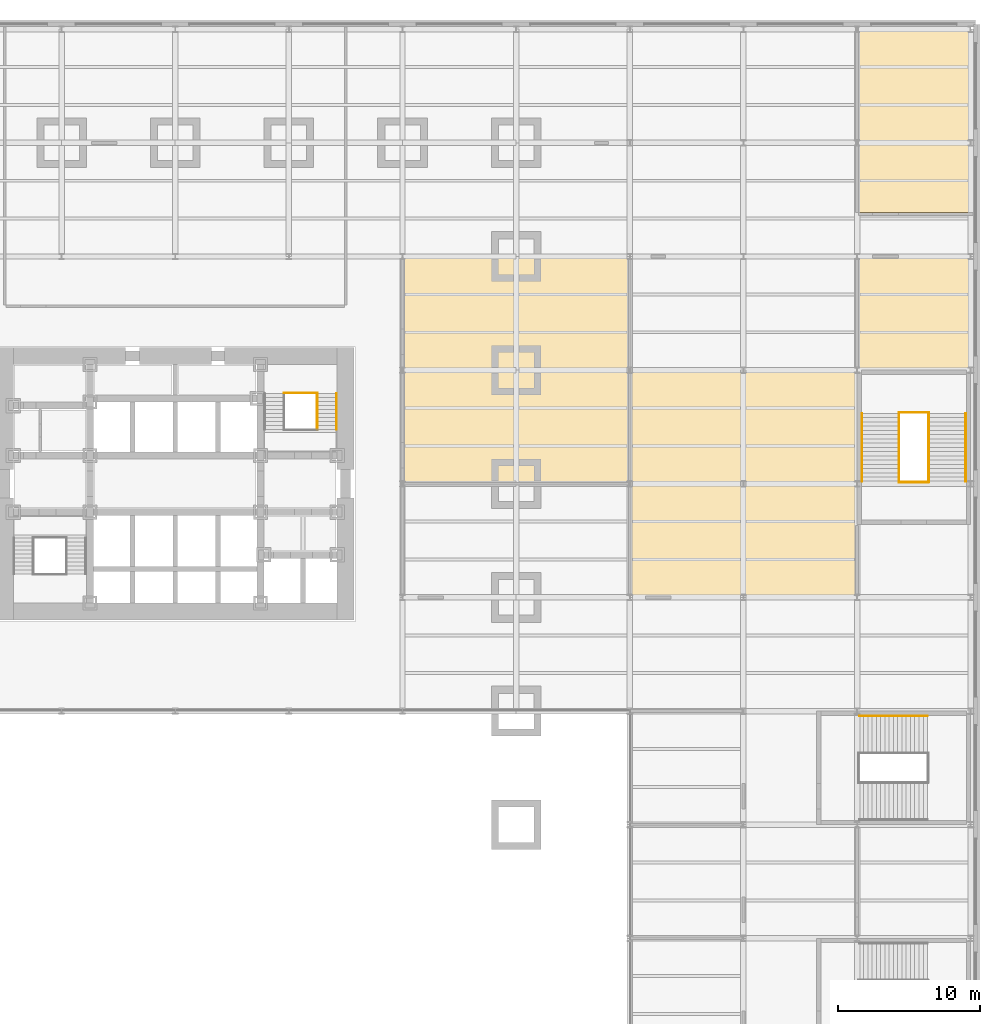
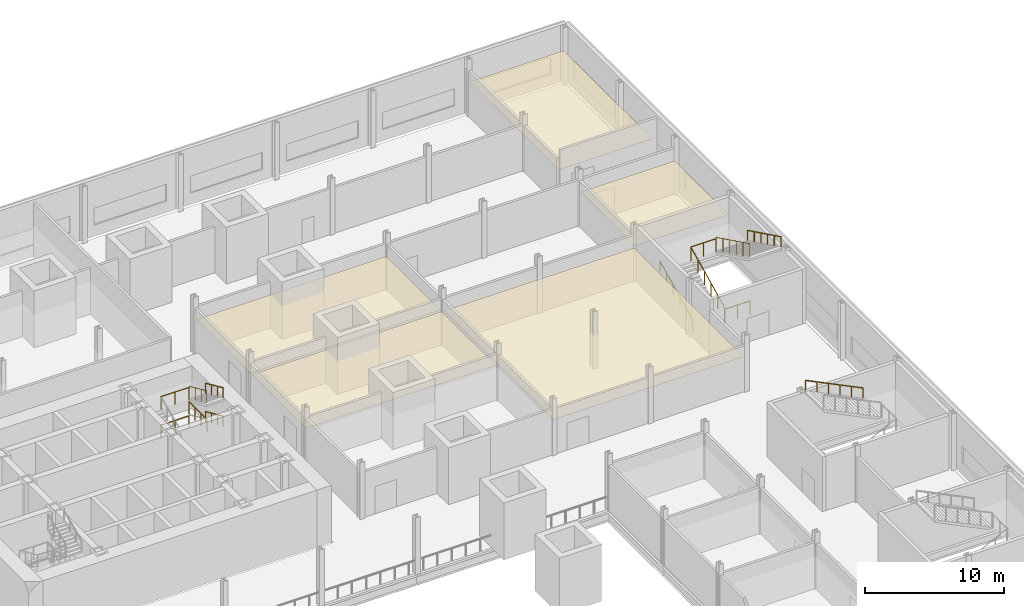
# One storey, part 22 of 22: 13 railings, 5 coverings.
"""IFC4 building model written with IfcOpenShell, lengths in metres."""

from ifc_helpers import new_model, si_unit, direction, frame, origin, origin_2d, place, context, subcontext, project, spatial, polyline, circle, outline, extrude, material, layer, layer_set, type_object, element, save


model = new_model("IFC4")

# Units and contexts
model_context = context("Model", 3, precision=1e-05, world=origin(), true_north=direction((0.0, 1.0)))
body_context = subcontext(model_context, "Body", "Model", "MODEL_VIEW")
ifc_project = project(units=[si_unit("LENGTHUNIT", "METRE"), si_unit("AREAUNIT", "SQUARE_METRE"), si_unit("VOLUMEUNIT", "CUBIC_METRE"), si_unit("PLANEANGLEUNIT", "RADIAN"), si_unit("MASSUNIT", "GRAM", prefix="KILO")], contexts=[model_context])

# Site, building, storey
site_placement = place(None, origin())
site = spatial("IfcSite", under=ifc_project, at=site_placement, CompositionType="ELEMENT")
building_placement = place(site_placement, origin())
building = spatial("IfcBuilding", under=site, at=building_placement, Name="Daluyong Arena Tower", CompositionType="ELEMENT")
storey_placement = place(building_placement, frame((0.0, 0.0, 9.89990234375)))
storey = spatial("IfcBuildingStorey", under=building, at=storey_placement, Name="L02", CompositionType="ELEMENT", Elevation=9.89990234375)

# Coverings
ifc_material_1 = material(Name="Mineral fibre ceiling tile", Category="gypsum board")
ifc_layer = layer(ifc_material_1, 0.02001953125)
ifc_layer_set = layer_set([ifc_layer], Name="Mineral fibre ceiling tile")
covering_type = type_object("IfcCoveringType", Name="Office ceiling", PredefinedType="CEILING", material=ifc_layer_set)
covering_1_placement = place(storey_placement, frame((0.0, 0.0, 2.900146484375)))
element("IfcCovering", 1, at=covering_1_placement, inside=storey, type_object=covering_type, Name="ceiling L02-43", PredefinedType="CEILING", context=body_context, shape_type="SweptSolid", body=[
    extrude(outline(polyline([(87.89990234375, 80.10009765625), (87.89990234375, 87.89990234375), (72.10009765625, 87.89990234375), (72.10009765625, 80.10009765625), (87.89990234375, 80.10009765625)])), origin(), (0.0, 0.0, 1.0), 0.02001953125),
])
covering_2_placement = place(storey_placement, frame((0.0, 0.0, 2.900146484375)))
element("IfcCovering", 2, at=covering_2_placement, inside=storey, type_object=covering_type, Name="ceiling L02-44", PredefinedType="CEILING", context=body_context, shape_type="SweptSolid", body=[
    extrude(outline(polyline([(103.89990234375, 72.10009765625), (103.89990234375, 87.89990234375), (88.10009765625, 87.89990234375), (88.10009765625, 72.10009765625), (103.89990234375, 72.10009765625)])), origin(), (0.0, 0.0, 1.0), 0.02001953125),
])
covering_3_placement = place(storey_placement, frame((0.0, 0.0, 2.900146484375)))
element("IfcCovering", 3, at=covering_3_placement, inside=storey, type_object=covering_type, Name="ceiling L02-45", PredefinedType="CEILING", context=body_context, shape_type="SweptSolid", body=[
    extrude(outline(polyline([(87.89990234375, 88.10009765625), (87.89990234375, 95.89990234375), (72.10009765625, 95.89990234375), (72.10009765625, 88.10009765625), (87.89990234375, 88.10009765625)])), origin(), (0.0, 0.0, 1.0), 0.02001953125),
])
covering_4_placement = place(storey_placement, frame((0.0, 0.0, 2.900146484375)))
element("IfcCovering", 4, at=covering_4_placement, inside=storey, type_object=covering_type, Name="ceiling L02-47", PredefinedType="CEILING", context=body_context, shape_type="SweptSolid", body=[
    extrude(outline(polyline([(111.89990234375, 88.10009765625), (111.89990234375, 95.89990234375), (104.10009765625, 95.89990234375), (104.10009765625, 88.10009765625), (111.89990234375, 88.10009765625)])), origin(), (0.0, 0.0, 1.0), 0.02001953125),
])
covering_5_placement = place(storey_placement, frame((0.0, 0.0, 2.900146484375)))
element("IfcCovering", 5, at=covering_5_placement, inside=storey, type_object=covering_type, Name="ceiling L02-53", PredefinedType="CEILING", context=body_context, shape_type="SweptSolid", body=[
    extrude(outline(polyline([(111.89990234375, 99.10009765625), (111.89990234375, 111.89990234375), (104.10009765625, 111.89990234375), (104.10009765625, 99.10009765625), (111.89990234375, 99.10009765625)])), origin(), (0.0, 0.0, 1.0), 0.02001953125),
])

# Railings
ifc_material_2 = material(Name="Stainless steel handrail", Category="steel")
railing_type_1 = type_object("IfcRailingType", Name="Stair handrail", PredefinedType="HANDRAIL", material=ifc_material_2)
for number, where, name in (
    (6, (67.35009765625, 86.344970703125, 1.375), "exit stair B handrail L02"),
    (7, (67.35009765625, 86.344970703125, 3.875), "exit stair B handrail L02"),
):
    element("IfcRailing", number, at=place(storey_placement, frame(where)), inside=storey, type_object=railing_type_1, Name=name, PredefinedType="HANDRAIL", context=body_context, shape_type="SweptSolid", body=[
        extrude(circle(Radius=0.02392578125, at=origin_2d()), frame((0.0, 0.0, 0.8759765625), z_axis=(0.0, -0.913139058521, 0.407648205936), x_axis=(1.0, 0.0, 0.0)), (0.0, 0.0, 1.0), 2.759765625),
        extrude(circle(Radius=0.02099609375, at=origin_2d()), origin(), (0.0, 0.0, 1.0), 0.851806640625),
        extrude(circle(Radius=0.02099609375, at=origin_2d()), frame((0.0, -0.840087890625, 0.375)), (0.0, 0.0, 1.0), 0.851806640625),
        extrude(circle(Radius=0.02099609375, at=origin_2d()), frame((0.0, -1.679931640625, 0.75)), (0.0, 0.0, 1.0), 0.851806640625),
        extrude(circle(Radius=0.02099609375, at=origin_2d()), frame((0.0, -2.52001953125, 1.125)), (0.0, 0.0, 1.0), 0.851806640625),
    ])
railing_1_placement = place(storey_placement, frame((104.35009765625, 80.159912109375, 0.147216796875)))
element("IfcRailing", 8, at=railing_1_placement, inside=storey, type_object=railing_type_1, Name="exit stair PS6 handrail L02", PredefinedType="HANDRAIL", context=body_context, shape_type="SweptSolid", body=[
    extrude(circle(Radius=0.02392578125, at=origin_2d()), frame((0.0, 0.0, 0.8759765625), z_axis=(0.0, 0.89793417156, 0.440129780343), x_axis=(-1.0, 0.0, 0.0)), (0.0, 0.0, 1.0), 5.345703125),
    extrude(circle(Radius=0.02099609375, at=origin_2d()), origin(), (0.0, 0.0, 1.0), 0.851806640625),
    extrude(circle(Radius=0.02099609375, at=origin_2d()), frame((0.0, 0.9599609375, 0.470458984375)), (0.0, 0.0, 1.0), 0.851806640625),
    extrude(circle(Radius=0.02099609375, at=origin_2d()), frame((0.0, 1.919921875, 0.941162109375)), (0.0, 0.0, 1.0), 0.851806640625),
    extrude(circle(Radius=0.02099609375, at=origin_2d()), frame((0.0, 2.880126953125, 1.41162109375)), (0.0, 0.0, 1.0), 0.851806640625),
    extrude(circle(Radius=0.02099609375, at=origin_2d()), frame((0.0, 3.840087890625, 1.88232421875)), (0.0, 0.0, 1.0), 0.851806640625),
    extrude(circle(Radius=0.02099609375, at=origin_2d()), frame((0.0, 4.800048828125, 2.352783203125)), (0.0, 0.0, 1.0), 0.851806640625),
])
railing_2_placement = place(storey_placement, frame((111.64990234375, 84.9599609375, 2.647216796875)))
element("IfcRailing", 9, at=railing_2_placement, inside=storey, type_object=railing_type_1, Name="exit stair PS6 handrail L02", PredefinedType="HANDRAIL", context=body_context, shape_type="SweptSolid", body=[
    extrude(circle(Radius=0.02392578125, at=origin_2d()), frame((0.0, 0.0, 0.8759765625), z_axis=(0.0, -0.89793417156, 0.440129780343), x_axis=(1.0, 0.0, 0.0)), (0.0, 0.0, 1.0), 5.345703125),
    extrude(circle(Radius=0.02099609375, at=origin_2d()), origin(), (0.0, 0.0, 1.0), 0.851806640625),
    extrude(circle(Radius=0.02099609375, at=origin_2d()), frame((0.0, -0.9599609375, 0.470458984375)), (0.0, 0.0, 1.0), 0.851806640625),
    extrude(circle(Radius=0.02099609375, at=origin_2d()), frame((0.0, -1.919921875, 0.941162109375)), (0.0, 0.0, 1.0), 0.851806640625),
    extrude(circle(Radius=0.02099609375, at=origin_2d()), frame((0.0, -2.880126953125, 1.41162109375)), (0.0, 0.0, 1.0), 0.851806640625),
    extrude(circle(Radius=0.02099609375, at=origin_2d()), frame((0.0, -3.840087890625, 1.88232421875)), (0.0, 0.0, 1.0), 0.851806640625),
    extrude(circle(Radius=0.02099609375, at=origin_2d()), frame((0.0, -4.800048828125, 2.352783203125)), (0.0, 0.0, 1.0), 0.851806640625),
])
railing_3_placement = place(storey_placement, frame((108.9599609375, 63.64990234375, 2.647216796875)))
element("IfcRailing", 10, at=railing_3_placement, inside=storey, type_object=railing_type_1, Name="exit stair PS8 handrail L02", PredefinedType="HANDRAIL", context=body_context, shape_type="SweptSolid", body=[
    extrude(circle(Radius=0.02392578125, at=origin_2d()), frame((0.0, 0.0, 0.8759765625), z_axis=(-0.89793417156, 0.0, 0.440129780343), x_axis=(0.0, -1.0, 0.0)), (0.0, 0.0, 1.0), 5.345703125),
    extrude(circle(Radius=0.02099609375, at=origin_2d()), origin(), (0.0, 0.0, 1.0), 0.851806640625),
    extrude(circle(Radius=0.02099609375, at=origin_2d()), frame((-0.9599609375, 0.0, 0.470458984375)), (0.0, 0.0, 1.0), 0.851806640625),
    extrude(circle(Radius=0.02099609375, at=origin_2d()), frame((-1.919921875, 0.0, 0.941162109375)), (0.0, 0.0, 1.0), 0.851806640625),
    extrude(circle(Radius=0.02099609375, at=origin_2d()), frame((-2.880126953125, 0.0, 1.41162109375)), (0.0, 0.0, 1.0), 0.851806640625),
    extrude(circle(Radius=0.02099609375, at=origin_2d()), frame((-3.840087890625, 0.0, 1.88232421875)), (0.0, 0.0, 1.0), 0.851806640625),
    extrude(circle(Radius=0.02099609375, at=origin_2d()), frame((-4.800048828125, 0.0, 2.352783203125)), (0.0, 0.0, 1.0), 0.851806640625),
])
ifc_material_3 = material(Name="Steel balustrade", Category="steel")
railing_type_2 = type_object("IfcRailingType", Name="Stair well guard 1100", PredefinedType="GUARDRAIL", material=ifc_material_3)
railing_4_placement = place(storey_placement, frame((66.0, 86.344970703125, 3.875)))
element("IfcRailing", 11, at=railing_4_placement, inside=storey, type_object=railing_type_2, Name="exit stair B well guard L02", PredefinedType="GUARDRAIL", context=body_context, shape_type="SweptSolid", body=[
    extrude(circle(Radius=0.02392578125, at=origin_2d()), frame((0.0, 0.0, 1.076171875), z_axis=(0.0, -0.913139058521, 0.407648205936), x_axis=(1.0, 0.0, 0.0)), (0.0, 0.0, 1.0), 2.759765625),
    extrude(circle(Radius=0.02099609375, at=origin_2d()), origin(), (0.0, 0.0, 1.0), 1.052001953125),
    extrude(circle(Radius=0.02099609375, at=origin_2d()), frame((0.0, -0.840087890625, 0.375)), (0.0, 0.0, 1.0), 1.052001953125),
    extrude(circle(Radius=0.02099609375, at=origin_2d()), frame((0.0, -1.679931640625, 0.75)), (0.0, 0.0, 1.0), 1.052001953125),
    extrude(circle(Radius=0.02099609375, at=origin_2d()), frame((0.0, -2.52001953125, 1.125)), (0.0, 0.0, 1.0), 1.052001953125),
])
for number, where, name in (
    (12, (63.64990234375, 86.39501953125, 1.25), "exit stair B landing guard L02"),
    (13, (63.64990234375, 86.39501953125, 3.75), "exit stair B landing guard L02"),
):
    element("IfcRailing", number, at=place(storey_placement, frame(where)), inside=storey, type_object=railing_type_2, Name=name, PredefinedType="GUARDRAIL", context=body_context, shape_type="SweptSolid", body=[
        extrude(circle(Radius=0.02392578125, at=origin_2d()), frame((0.0, 0.0, 1.076171875), z_axis=(1.0, 0.0, 0.0), x_axis=(0.0, 1.0, 0.0)), (0.0, 0.0, 1.0), 2.35009765625),
        extrude(circle(Radius=0.02099609375, at=origin_2d()), origin(), (0.0, 0.0, 1.0), 1.052001953125),
        extrude(circle(Radius=0.02099609375, at=origin_2d()), frame((1.175048828125, 0.0, 0.0)), (0.0, 0.0, 1.0), 1.052001953125),
        extrude(circle(Radius=0.02099609375, at=origin_2d()), frame((2.35009765625, 0.0, 0.0)), (0.0, 0.0, 1.0), 1.052001953125),
    ])
railing_5_placement = place(storey_placement, frame((66.0, 86.39501953125, 2.5)))
element("IfcRailing", 14, at=railing_5_placement, inside=storey, type_object=railing_type_2, Name="exit stair B landing guard L02", PredefinedType="GUARDRAIL", context=body_context, shape_type="SweptSolid", body=[
    extrude(circle(Radius=0.02392578125, at=origin_2d()), frame((0.0, 0.0, 1.076171875), z_axis=(0.0, -1.0, 0.0), x_axis=(1.0, 0.0, 0.0)), (0.0, 0.0, 1.0), 2.570068359375),
    extrude(circle(Radius=0.02099609375, at=origin_2d()), origin(), (0.0, 0.0, 1.0), 1.052001953125),
    extrude(circle(Radius=0.02099609375, at=origin_2d()), frame((0.0, -0.856689453125, 0.0)), (0.0, 0.0, 1.0), 1.052001953125),
    extrude(circle(Radius=0.02099609375, at=origin_2d()), frame((0.0, -1.71337890625, 0.0)), (0.0, 0.0, 1.0), 1.052001953125),
    extrude(circle(Radius=0.02099609375, at=origin_2d()), frame((0.0, -2.570068359375, 0.0)), (0.0, 0.0, 1.0), 1.052001953125),
])
ifc_material_4 = material(Name="Steel balustrade", Category="steel")
railing_type_3 = type_object("IfcRailingType", Name="Stair well guard 1200", PredefinedType="GUARDRAIL", material=ifc_material_4)
railing_6_placement = place(storey_placement, frame((106.949951171875, 80.159912109375, 0.147216796875)))
element("IfcRailing", 15, at=railing_6_placement, inside=storey, type_object=railing_type_3, Name="exit stair PS6 well guard L02", PredefinedType="GUARDRAIL", context=body_context, shape_type="SweptSolid", body=[
    extrude(circle(Radius=0.02392578125, at=origin_2d()), frame((0.0, 0.0, 1.17578125), z_axis=(0.0, 0.89793417156, 0.440129780343), x_axis=(-1.0, 0.0, 0.0)), (0.0, 0.0, 1.0), 5.345703125),
    extrude(circle(Radius=0.02099609375, at=origin_2d()), origin(), (0.0, 0.0, 1.0), 1.15185546875),
    extrude(circle(Radius=0.02099609375, at=origin_2d()), frame((0.0, 0.9599609375, 0.470458984375)), (0.0, 0.0, 1.0), 1.15185546875),
    extrude(circle(Radius=0.02099609375, at=origin_2d()), frame((0.0, 1.919921875, 0.941162109375)), (0.0, 0.0, 1.0), 1.15185546875),
    extrude(circle(Radius=0.02099609375, at=origin_2d()), frame((0.0, 2.880126953125, 1.41162109375)), (0.0, 0.0, 1.0), 1.15185546875),
    extrude(circle(Radius=0.02099609375, at=origin_2d()), frame((0.0, 3.840087890625, 1.88232421875)), (0.0, 0.0, 1.0), 1.15185546875),
    extrude(circle(Radius=0.02099609375, at=origin_2d()), frame((0.0, 4.800048828125, 2.352783203125)), (0.0, 0.0, 1.0), 1.15185546875),
])
railing_7_placement = place(storey_placement, frame((109.050048828125, 84.9599609375, 2.647216796875)))
element("IfcRailing", 16, at=railing_7_placement, inside=storey, type_object=railing_type_3, Name="exit stair PS6 well guard L02", PredefinedType="GUARDRAIL", context=body_context, shape_type="SweptSolid", body=[
    extrude(circle(Radius=0.02392578125, at=origin_2d()), frame((0.0, 0.0, 1.17578125), z_axis=(0.0, -0.89793417156, 0.440129780343), x_axis=(1.0, 0.0, 0.0)), (0.0, 0.0, 1.0), 5.345703125),
    extrude(circle(Radius=0.02099609375, at=origin_2d()), origin(), (0.0, 0.0, 1.0), 1.15185546875),
    extrude(circle(Radius=0.02099609375, at=origin_2d()), frame((0.0, -0.9599609375, 0.470458984375)), (0.0, 0.0, 1.0), 1.15185546875),
    extrude(circle(Radius=0.02099609375, at=origin_2d()), frame((0.0, -1.919921875, 0.941162109375)), (0.0, 0.0, 1.0), 1.15185546875),
    extrude(circle(Radius=0.02099609375, at=origin_2d()), frame((0.0, -2.880126953125, 1.41162109375)), (0.0, 0.0, 1.0), 1.15185546875),
    extrude(circle(Radius=0.02099609375, at=origin_2d()), frame((0.0, -3.840087890625, 1.88232421875)), (0.0, 0.0, 1.0), 1.15185546875),
    extrude(circle(Radius=0.02099609375, at=origin_2d()), frame((0.0, -4.800048828125, 2.352783203125)), (0.0, 0.0, 1.0), 1.15185546875),
])
for number, where, name in (
    (17, (106.949951171875, 85.010009765625, 2.5), "exit stair PS6 landing guard L02"),
    (18, (106.949951171875, 80.110107421875, 0.0), "exit stair PS6 floor landing guard L02"),
):
    element("IfcRailing", number, at=place(storey_placement, frame(where)), inside=storey, type_object=railing_type_3, Name=name, PredefinedType="GUARDRAIL", context=body_context, shape_type="SweptSolid", body=[
        extrude(circle(Radius=0.02392578125, at=origin_2d()), frame((0.0, 0.0, 1.17578125), z_axis=(1.0, 0.0, 0.0), x_axis=(0.0, 1.0, 0.0)), (0.0, 0.0, 1.0), 2.10009765625),
        extrude(circle(Radius=0.02099609375, at=origin_2d()), origin(), (0.0, 0.0, 1.0), 1.15185546875),
        extrude(circle(Radius=0.02099609375, at=origin_2d()), frame((1.050048828125, 0.0, 0.0)), (0.0, 0.0, 1.0), 1.15185546875),
        extrude(circle(Radius=0.02099609375, at=origin_2d()), frame((2.10009765625, 0.0, 0.0)), (0.0, 0.0, 1.0), 1.15185546875),
    ])

save(model, "model.ifc")
